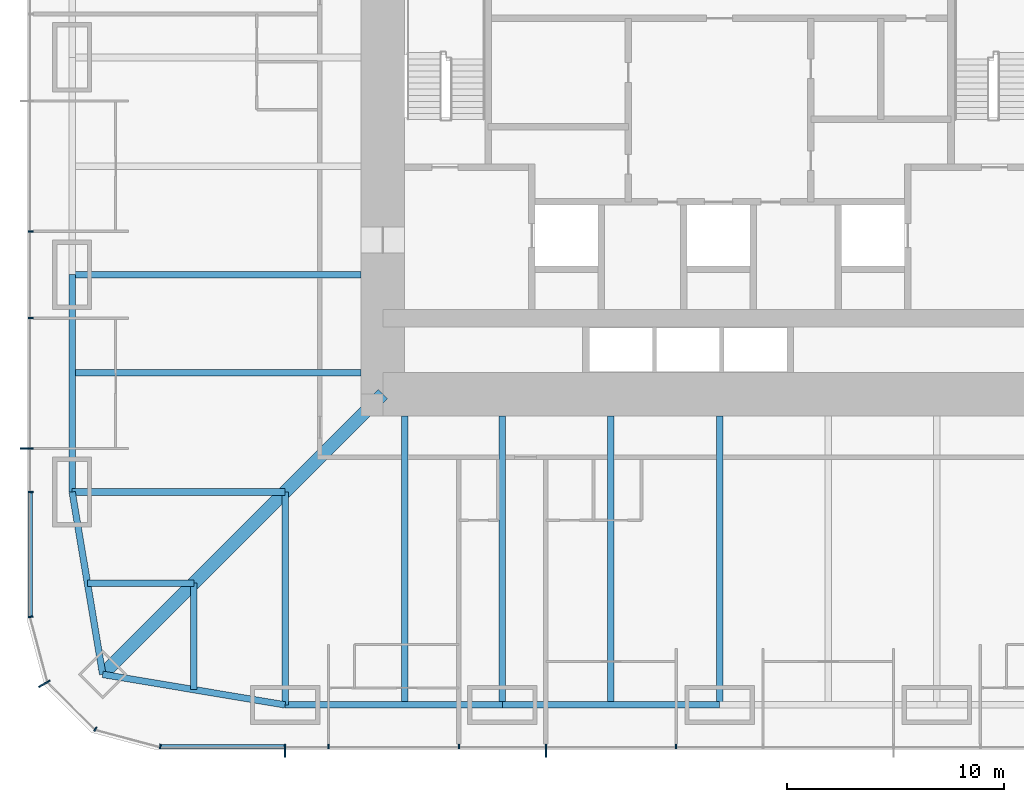
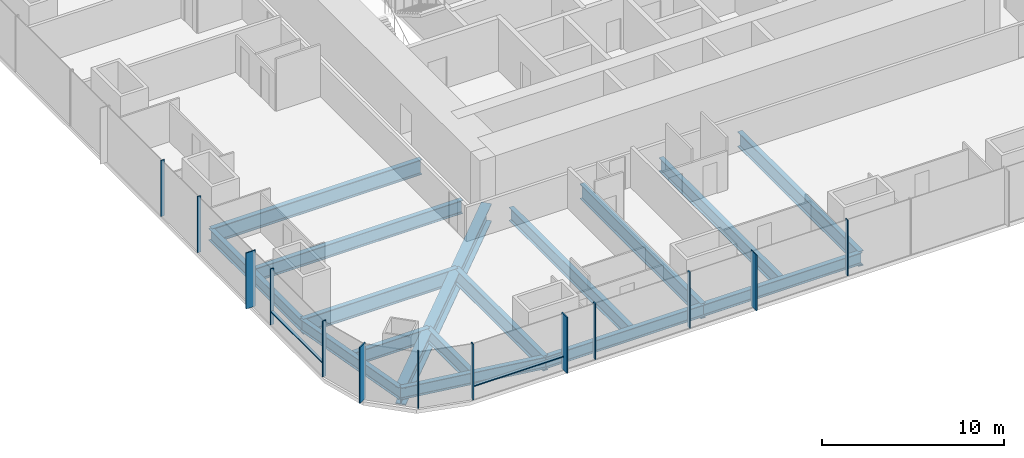
# One storey, part 2 of 17: 16 beams, 15 members, 3 elements without a shape of their own.
"""IFC4 building model written with IfcOpenShell, lengths in metres."""

from ifc_helpers import new_model, si_unit, direction, frame, origin, origin_2d, place, context, subcontext, project, spatial, rectangle, i_section, extrude, material, material_profile, profile_set, type_object, element, aggregate, save


model = new_model("IFC4")

# Units and contexts
model_context = context("Model", 3, precision=1e-05, world=origin(), true_north=direction((0.0, 1.0)))
body_context = subcontext(model_context, "Body", "Model", "MODEL_VIEW")
ifc_project = project(units=[si_unit("LENGTHUNIT", "METRE"), si_unit("AREAUNIT", "SQUARE_METRE"), si_unit("VOLUMEUNIT", "CUBIC_METRE"), si_unit("PLANEANGLEUNIT", "RADIAN"), si_unit("MASSUNIT", "GRAM", prefix="KILO")], contexts=[model_context])

# Site, building, storey
site_placement = place(None, origin())
site = spatial("IfcSite", under=ifc_project, at=site_placement, CompositionType="ELEMENT")
building_placement = place(site_placement, origin())
building = spatial("IfcBuilding", under=site, at=building_placement, Name="Khuree Lantern Residences", CompositionType="ELEMENT")
storey_placement = place(building_placement, frame((0.0, 0.0, 36.0)))
storey = spatial("IfcBuildingStorey", under=building, at=storey_placement, Name="L08", CompositionType="ELEMENT", Elevation=36.0)

# Beams
ifc_material_1 = material(Name="Steel S355", Category="steel")
ifc_material_profile_1 = material_profile(ifc_material_1, i_section(OverallWidth=0.300048828125, OverallDepth=0.889892578125, WebThickness=0.01611328125, FlangeThickness=0.030029296875, FilletRadius=0.030029296875, at=origin_2d()), Name="HE 900 A")
ifc_profile_set_1 = profile_set([ifc_material_profile_1], Name="Steel S355")
beam_type_1 = type_object("IfcBeamType", Name="B-12 SECONDARY BEAM HE 900 A", PredefinedType="BEAM", material=ifc_profile_set_1)
for number, where, z_axis, x_axis, name in (
    (1, (-5.0, -29.800048828125, -0.695068359375), (0.0, 1.0, 0.0), (-1.0, 0.0, 0.0), "Secondary beam S4"),
    (2, (-14.5, -29.800048828125, -0.695068359375), (0.0, 1.0, 0.0), (-1.0, 0.0, 0.0), "Secondary beam S5"),
):
    element("IfcBeam", number, at=place(storey_placement, frame(where, z_axis=z_axis, x_axis=x_axis)), inside=storey, type_object=beam_type_1, Name=name, PredefinedType="BEAM", context=body_context, shape_type="SweptSolid", body=[
        extrude(i_section(OverallWidth=0.300048828125, OverallDepth=0.889892578125, WebThickness=0.01611328125, FlangeThickness=0.030029296875, FilletRadius=0.030029296875, at=origin_2d()), origin(), (0.0, 0.0, 1.0), 13.300048828125),
    ])
for number, where, z_axis, x_axis, name in (
    (3, (-24.197021484375, -29.09716796875, -0.695068359375), (0.0, 1.0, 0.0), (-1.0, 0.0, 0.0), "Secondary beam S6"),
    (4, (-29.09716796875, -24.197021484375, -0.695068359375), (1.0, 0.0, 0.0), (0.0, 1.0, 0.0), "Secondary beam W1"),
):
    element("IfcBeam", number, at=place(storey_placement, frame(where, z_axis=z_axis, x_axis=x_axis)), inside=storey, type_object=beam_type_1, Name=name, PredefinedType="BEAM", context=body_context, shape_type="SweptSolid", body=[
        extrude(i_section(OverallWidth=0.300048828125, OverallDepth=0.889892578125, WebThickness=0.01611328125, FlangeThickness=0.030029296875, FilletRadius=0.030029296875, at=origin_2d()), origin(), (0.0, 0.0, 1.0), 4.900146484375),
    ])
beam_1_placement = place(storey_placement, frame((-29.800048828125, -14.5, -0.695068359375), z_axis=(1.0, 0.0, 0.0), x_axis=(0.0, 1.0, 0.0)))
element("IfcBeam", 5, at=beam_1_placement, inside=storey, type_object=beam_type_1, Name="Secondary beam W2", PredefinedType="BEAM", context=body_context, shape_type="SweptSolid", body=[
    extrude(i_section(OverallWidth=0.300048828125, OverallDepth=0.889892578125, WebThickness=0.01611328125, FlangeThickness=0.030029296875, FilletRadius=0.030029296875, at=origin_2d()), origin(), (0.0, 0.0, 1.0), 13.300048828125),
])
ifc_material_profile_2 = material_profile(ifc_material_1, i_section(OverallWidth=0.300048828125, OverallDepth=0.7900390625, WebThickness=0.014892578125, FlangeThickness=0.028076171875, FilletRadius=0.030029296875, at=origin_2d()), Name="HE 800 A")
ifc_profile_set_2 = profile_set([ifc_material_profile_2], Name="Steel S355")
beam_type_2 = type_object("IfcBeamType", Name="E-12 SPANDREL BEAM HE 800 A", PredefinedType="SPANDREL", material=ifc_profile_set_2)
for number, where, z_axis, x_axis, name in (
    (6, (0.0, -29.800048828125, -0.64501953125), (-1.0, 0.0, 0.0), (0.0, -1.0, 0.0), "Spandrel beam S4"),
    (7, (-10.0, -29.800048828125, -0.64501953125), (-1.0, 0.0, 0.0), (0.0, -1.0, 0.0), "Spandrel beam S5"),
):
    element("IfcBeam", number, at=place(storey_placement, frame(where, z_axis=z_axis, x_axis=x_axis)), inside=storey, type_object=beam_type_2, Name=name, PredefinedType="SPANDREL", context=body_context, shape_type="SweptSolid", body=[
        extrude(i_section(OverallWidth=0.300048828125, OverallDepth=0.7900390625, WebThickness=0.014892578125, FlangeThickness=0.028076171875, FilletRadius=0.030029296875, at=origin_2d()), origin(), (0.0, 0.0, 1.0), 10.0),
    ])
for number, where, z_axis, x_axis, name in (
    (8, (-20.0, -29.800048828125, -0.64501953125), (-0.986260251158, 0.165199022349, 0.0), (-0.165199022349, -0.986260251158, 0.0), "Spandrel beam S6"),
    (9, (-28.39404296875, -28.39404296875, -0.64501953125), (-0.165199022349, 0.986260251158, 0.0), (-0.986260251158, -0.165199022349, 0.0), "Spandrel beam W1"),
):
    element("IfcBeam", number, at=place(storey_placement, frame(where, z_axis=z_axis, x_axis=x_axis)), inside=storey, type_object=beam_type_2, Name=name, PredefinedType="SPANDREL", context=body_context, shape_type="SweptSolid", body=[
        extrude(i_section(OverallWidth=0.300048828125, OverallDepth=0.7900390625, WebThickness=0.014892578125, FlangeThickness=0.028076171875, FilletRadius=0.030029296875, at=origin_2d()), origin(), (0.0, 0.0, 1.0), 8.510986328125),
    ])
beam_2_placement = place(storey_placement, frame((-29.800048828125, -20.0, -0.64501953125), z_axis=(0.0, 1.0, 0.0), x_axis=(-1.0, 0.0, 0.0)))
element("IfcBeam", 10, at=beam_2_placement, inside=storey, type_object=beam_type_2, Name="Spandrel beam W2", PredefinedType="SPANDREL", context=body_context, shape_type="SweptSolid", body=[
    extrude(i_section(OverallWidth=0.300048828125, OverallDepth=0.7900390625, WebThickness=0.014892578125, FlangeThickness=0.028076171875, FilletRadius=0.030029296875, at=origin_2d()), origin(), (0.0, 0.0, 1.0), 10.0),
])

# Curtain wall, member
ifc_material_2 = material(Name="Bronze anodised aluminium", Category="aluminium")
curtain_wall_type_1 = type_object("IfcCurtainWallType", Name="CW-T1 TOWER FACE CURTAIN WALL", PredefinedType="USERDEFINED", material=ifc_material_2)
curtain_wall_1_placement = place(storey_placement, origin())
curtain_wall_1 = element("IfcCurtainWall", 11, at=curtain_wall_1_placement, inside=storey, type_object=curtain_wall_type_1, Name="L08 WEST FACE CURTAIN WALL", ObjectType="Stick-built curtain wall", PredefinedType="USERDEFINED")
ifc_material_profile_3 = material_profile(ifc_material_2, rectangle(XDim=0.06494140625, YDim=0.60009765625, at=origin_2d()), Name="F1 65X600")
ifc_profile_set_3 = profile_set([ifc_material_profile_3], Name="Bronze anodised aluminium")
member_type_1 = type_object("IfcMemberType", Name="F1 BRONZE FIN MULLION TOWER 65X600", PredefinedType="MULLION", material=ifc_profile_set_3)
member_1_placement = place(storey_placement, frame((-31.89990234375, -18.0, 0.0), z_axis=(0.0, 0.0, 1.0), x_axis=(0.0, -1.0, 0.0)))
member_1 = element("IfcMember", 12, at=member_1_placement, type_object=member_type_1, Name="L08 WEST FACE FIN MULLION 41", PredefinedType="MULLION", context=body_context, shape_type="SweptSolid", body=[
    extrude(rectangle(XDim=0.06494140625, YDim=0.60009765625, at=origin_2d()), origin(), (0.0, 0.0, 1.0), 3.75),
])

curtain_wall_type_2 = type_object("IfcCurtainWallType", Name="CW-T2 TOWER CORNER CURTAIN WALL", PredefinedType="USERDEFINED", material=ifc_material_2)
curtain_wall_2_placement = place(storey_placement, origin())
curtain_wall_2 = element("IfcCurtainWall", 13, at=curtain_wall_2_placement, inside=storey, type_object=curtain_wall_type_2, Name="L08 SOUTH-WEST CORNER CURTAIN WALL", ObjectType="Faceted corner curtain wall", PredefinedType="USERDEFINED")
member_2_placement = place(storey_placement, frame((-31.076171875, -28.824951171875, 0.0), z_axis=(0.0, 0.0, 1.0), x_axis=(0.500000056923, -0.86602537092, 0.0)))
member_2 = element("IfcMember", 14, at=member_2_placement, type_object=member_type_1, Name="L08 SOUTH-WEST CORNER FIN MULLION 44", PredefinedType="MULLION", context=body_context, shape_type="SweptSolid", body=[
    extrude(rectangle(XDim=0.06494140625, YDim=0.60009765625, at=origin_2d()), origin(), (0.0, 0.0, 1.0), 3.75),
])

# Curtain wall, members
curtain_wall_3_placement = place(storey_placement, origin())
curtain_wall_3 = element("IfcCurtainWall", 15, at=curtain_wall_3_placement, inside=storey, type_object=curtain_wall_type_1, Name="L08 SOUTH FACE CURTAIN WALL", ObjectType="Stick-built curtain wall", PredefinedType="USERDEFINED")
member_3_placement = place(storey_placement, frame((-20.0, -31.89990234375, 0.0), z_axis=(0.0, 0.0, 1.0), x_axis=(1.0, 0.0, 0.0)))
member_3 = element("IfcMember", 16, at=member_3_placement, type_object=member_type_1, Name="L08 SOUTH FACE FIN MULLION 47", PredefinedType="MULLION", context=body_context, shape_type="SweptSolid", body=[
    extrude(rectangle(XDim=0.06494140625, YDim=0.60009765625, at=origin_2d()), origin(), (0.0, 0.0, 1.0), 3.75),
])
member_4_placement = place(storey_placement, frame((-8.0, -31.89990234375, 0.0), z_axis=(0.0, 0.0, 1.0), x_axis=(1.0, 0.0, 0.0)))
member_4 = element("IfcMember", 17, at=member_4_placement, type_object=member_type_1, Name="L08 SOUTH FACE FIN MULLION 50", PredefinedType="MULLION", context=body_context, shape_type="SweptSolid", body=[
    extrude(rectangle(XDim=0.06494140625, YDim=0.60009765625, at=origin_2d()), origin(), (0.0, 0.0, 1.0), 3.75),
])

# Beams
ifc_material_profile_4 = material_profile(ifc_material_1, i_section(OverallWidth=0.302001953125, OverallDepth=1.008056640625, WebThickness=0.02099609375, FlangeThickness=0.0400390625, FilletRadius=0.030029296875, at=origin_2d()), Name="HE 1000 M")
ifc_profile_set_4 = profile_set([ifc_material_profile_4], Name="Steel S355")
beam_type_3 = type_object("IfcBeamType", Name="G-12 GIRDER HE 1000 M", PredefinedType="BEAM", material=ifc_profile_set_4)
for number, where, z_axis, x_axis, name in (
    (18, (0.0, -29.800048828125, -0.75390625), (0.0, 1.0, 0.0), (-1.0, 0.0, 0.0), "Girder S3"),
    (19, (-10.0, -29.800048828125, -0.75390625), (0.0, 1.0, 0.0), (-1.0, 0.0, 0.0), "Girder S4"),
):
    element("IfcBeam", number, at=place(storey_placement, frame(where, z_axis=z_axis, x_axis=x_axis)), inside=storey, type_object=beam_type_3, Name=name, PredefinedType="BEAM", context=body_context, shape_type="SweptSolid", body=[
        extrude(i_section(OverallWidth=0.302001953125, OverallDepth=1.008056640625, WebThickness=0.02099609375, FlangeThickness=0.0400390625, FilletRadius=0.030029296875, at=origin_2d()), origin(), (0.0, 0.0, 1.0), 13.300048828125),
    ])
for number, where, z_axis, x_axis, name in (
    (20, (-20.0, -29.800048828125, -0.75390625), (0.0, 1.0, 0.0), (-1.0, 0.0, 0.0), "Girder S5"),
    (21, (-29.800048828125, -20.0, -0.75390625), (1.0, 0.0, 0.0), (0.0, 1.0, 0.0), "Girder W1"),
):
    element("IfcBeam", number, at=place(storey_placement, frame(where, z_axis=z_axis, x_axis=x_axis)), inside=storey, type_object=beam_type_3, Name=name, PredefinedType="BEAM", context=body_context, shape_type="SweptSolid", body=[
        extrude(i_section(OverallWidth=0.302001953125, OverallDepth=1.008056640625, WebThickness=0.02099609375, FlangeThickness=0.0400390625, FilletRadius=0.030029296875, at=origin_2d()), origin(), (0.0, 0.0, 1.0), 9.800048828125),
    ])
beam_3_placement = place(storey_placement, frame((-29.800048828125, -10.0, -0.75390625), z_axis=(1.0, 0.0, 0.0), x_axis=(0.0, 1.0, 0.0)))
element("IfcBeam", 22, at=beam_3_placement, inside=storey, type_object=beam_type_3, Name="Girder W2", PredefinedType="BEAM", context=body_context, shape_type="SweptSolid", body=[
    extrude(i_section(OverallWidth=0.302001953125, OverallDepth=1.008056640625, WebThickness=0.02099609375, FlangeThickness=0.0400390625, FilletRadius=0.030029296875, at=origin_2d()), origin(), (0.0, 0.0, 1.0), 13.300048828125),
])
ifc_material_profile_5 = material_profile(ifc_material_1, i_section(OverallWidth=0.60009765625, OverallDepth=1.199951171875, WebThickness=0.030029296875, FlangeThickness=0.06005859375, at=origin_2d()), Name="WELDED I 1200X600X30X60")
ifc_profile_set_5 = profile_set([ifc_material_profile_5], Name="Steel S355")
beam_type_4 = type_object("IfcBeamType", Name="GD-12 CORNER GIRDER WELDED I 1200X600X30X60", PredefinedType="BEAM", material=ifc_profile_set_5)
beam_4_placement = place(storey_placement, frame((-28.39404296875, -28.39404296875, -0.85009765625), z_axis=(0.707106781187, 0.707106781187, 0.0), x_axis=(-0.707106781187, 0.707106781187, 0.0)))
element("IfcBeam", 23, at=beam_4_placement, inside=storey, type_object=beam_type_4, Name="Corner girder SW", PredefinedType="BEAM", context=body_context, shape_type="SweptSolid", body=[
    extrude(i_section(OverallWidth=0.60009765625, OverallDepth=1.199951171875, WebThickness=0.030029296875, FlangeThickness=0.06005859375, at=origin_2d()), origin(), (0.0, 0.0, 1.0), 18.23486328125),
])

# Member
ifc_material_profile_6 = material_profile(ifc_material_2, rectangle(XDim=0.06494140625, YDim=0.219970703125, at=origin_2d()), Name="M1 65X220")
ifc_profile_set_6 = profile_set([ifc_material_profile_6], Name="Bronze anodised aluminium")
member_type_2 = type_object("IfcMemberType", Name="M1 BRONZE MULLION TOWER 65X220", PredefinedType="MULLION", material=ifc_profile_set_6)
member_5_placement = place(storey_placement, frame((-31.7099609375, -8.0, 0.0), z_axis=(0.0, 0.0, 1.0), x_axis=(0.0, -1.0, 0.0)))
member_5 = element("IfcMember", 24, at=member_5_placement, type_object=member_type_2, Name="L08 WEST FACE MULLION 39", PredefinedType="MULLION", context=body_context, shape_type="SweptSolid", body=[
    extrude(rectangle(XDim=0.06494140625, YDim=0.219970703125, at=origin_2d()), origin(), (0.0, 0.0, 1.0), 3.75),
])

member_6_placement = place(storey_placement, frame((-31.7099609375, -12.0, 0.0), z_axis=(0.0, 0.0, 1.0), x_axis=(0.0, -1.0, 0.0)))
member_6 = element("IfcMember", 25, at=member_6_placement, type_object=member_type_2, Name="L08 WEST FACE MULLION 40", PredefinedType="MULLION", context=body_context, shape_type="SweptSolid", body=[
    extrude(rectangle(XDim=0.06494140625, YDim=0.219970703125, at=origin_2d()), origin(), (0.0, 0.0, 1.0), 3.75),
])

member_7_placement = place(storey_placement, frame((-31.7099609375, -20.0, 0.0), z_axis=(0.0, 0.0, 1.0), x_axis=(0.0, -1.0, 0.0)))
member_7 = element("IfcMember", 26, at=member_7_placement, type_object=member_type_2, Name="L08 WEST FACE MULLION 42", PredefinedType="MULLION", context=body_context, shape_type="SweptSolid", body=[
    extrude(rectangle(XDim=0.06494140625, YDim=0.219970703125, at=origin_2d()), origin(), (0.0, 0.0, 1.0), 3.75),
])

member_8_placement = place(storey_placement, frame((-31.711669921875, -25.744873046875, 0.0), z_axis=(0.0, 0.0, 1.0), x_axis=(0.130526257387, -0.991444852794, 0.0)))
member_8 = element("IfcMember", 27, at=member_8_placement, type_object=member_type_2, Name="L08 SOUTH-WEST CORNER MULLION 43", PredefinedType="MULLION", context=body_context, shape_type="SweptSolid", body=[
    extrude(rectangle(XDim=0.06494140625, YDim=0.219970703125, at=origin_2d()), origin(), (0.0, 0.0, 1.0), 3.75),
])

member_9_placement = place(storey_placement, frame((-28.72998046875, -30.91162109375, 0.0), z_axis=(0.0, 0.0, 1.0), x_axis=(0.86602537092, -0.500000056923, 0.0)))
member_9 = element("IfcMember", 28, at=member_9_placement, type_object=member_type_2, Name="L08 SOUTH-WEST CORNER MULLION 45", PredefinedType="MULLION", context=body_context, shape_type="SweptSolid", body=[
    extrude(rectangle(XDim=0.06494140625, YDim=0.219970703125, at=origin_2d()), origin(), (0.0, 0.0, 1.0), 3.75),
])

aggregate(curtain_wall_2, [member_8, member_2, member_9])

member_10_placement = place(storey_placement, frame((-25.744873046875, -31.711669921875, 0.0), z_axis=(0.0, 0.0, 1.0), x_axis=(0.991444852794, -0.130526257387, 0.0)))
member_10 = element("IfcMember", 29, at=member_10_placement, type_object=member_type_2, Name="L08 SOUTH FACE MULLION 46", PredefinedType="MULLION", context=body_context, shape_type="SweptSolid", body=[
    extrude(rectangle(XDim=0.06494140625, YDim=0.219970703125, at=origin_2d()), origin(), (0.0, 0.0, 1.0), 3.75),
])

member_11_placement = place(storey_placement, frame((-18.0, -31.7099609375, 0.0), z_axis=(0.0, 0.0, 1.0), x_axis=(1.0, 0.0, 0.0)))
member_11 = element("IfcMember", 30, at=member_11_placement, type_object=member_type_2, Name="L08 SOUTH FACE MULLION 48", PredefinedType="MULLION", context=body_context, shape_type="SweptSolid", body=[
    extrude(rectangle(XDim=0.06494140625, YDim=0.219970703125, at=origin_2d()), origin(), (0.0, 0.0, 1.0), 3.75),
])

member_12_placement = place(storey_placement, frame((-12.0, -31.7099609375, 0.0), z_axis=(0.0, 0.0, 1.0), x_axis=(1.0, 0.0, 0.0)))
member_12 = element("IfcMember", 31, at=member_12_placement, type_object=member_type_2, Name="L08 SOUTH FACE MULLION 49", PredefinedType="MULLION", context=body_context, shape_type="SweptSolid", body=[
    extrude(rectangle(XDim=0.06494140625, YDim=0.219970703125, at=origin_2d()), origin(), (0.0, 0.0, 1.0), 3.75),
])

member_13_placement = place(storey_placement, frame((-2.0, -31.7099609375, 0.0), z_axis=(0.0, 0.0, 1.0), x_axis=(1.0, 0.0, 0.0)))
member_13 = element("IfcMember", 32, at=member_13_placement, type_object=member_type_2, Name="L08 SOUTH FACE MULLION 51", PredefinedType="MULLION", context=body_context, shape_type="SweptSolid", body=[
    extrude(rectangle(XDim=0.06494140625, YDim=0.219970703125, at=origin_2d()), origin(), (0.0, 0.0, 1.0), 3.75),
])

ifc_material_profile_7 = material_profile(ifc_material_2, rectangle(XDim=0.179931640625, YDim=0.06494140625, at=origin_2d()), Name="T1 180X65")
ifc_profile_set_7 = profile_set([ifc_material_profile_7], Name="Bronze anodised aluminium")
member_type_3 = type_object("IfcMemberType", Name="TRANSOM T1 TOWER 180X65", PredefinedType="USERDEFINED", material=ifc_profile_set_7)
member_14_placement = place(storey_placement, frame((-31.719970703125, -20.032470703125, 0.89990234375), z_axis=(0.0, -1.0, 0.0), x_axis=(1.0, 0.0, 0.0)))
member_14 = element("IfcMember", 33, at=member_14_placement, type_object=member_type_3, Name="L08 WEST FACE TRANSOM 42.1", ObjectType="Transom", PredefinedType="USERDEFINED", context=body_context, shape_type="SweptSolid", body=[
    extrude(rectangle(XDim=0.179931640625, YDim=0.06494140625, at=origin_2d()), origin(), (0.0, 0.0, 1.0), 5.6689453125),
])

aggregate(curtain_wall_1, [member_5, member_6, member_1, member_7, member_14])

member_15_placement = place(storey_placement, frame((-25.701416015625, -31.719970703125, 0.89990234375), z_axis=(1.0, 0.0, 0.0), x_axis=(0.0, 1.0, 0.0)))
member_15 = element("IfcMember", 34, at=member_15_placement, type_object=member_type_3, Name="L08 SOUTH FACE TRANSOM 46.1", ObjectType="Transom", PredefinedType="USERDEFINED", context=body_context, shape_type="SweptSolid", body=[
    extrude(rectangle(XDim=0.179931640625, YDim=0.06494140625, at=origin_2d()), origin(), (0.0, 0.0, 1.0), 5.6689453125),
])

aggregate(curtain_wall_3, [member_10, member_3, member_11, member_12, member_4, member_13, member_15])

save(model, "model.ifc")
